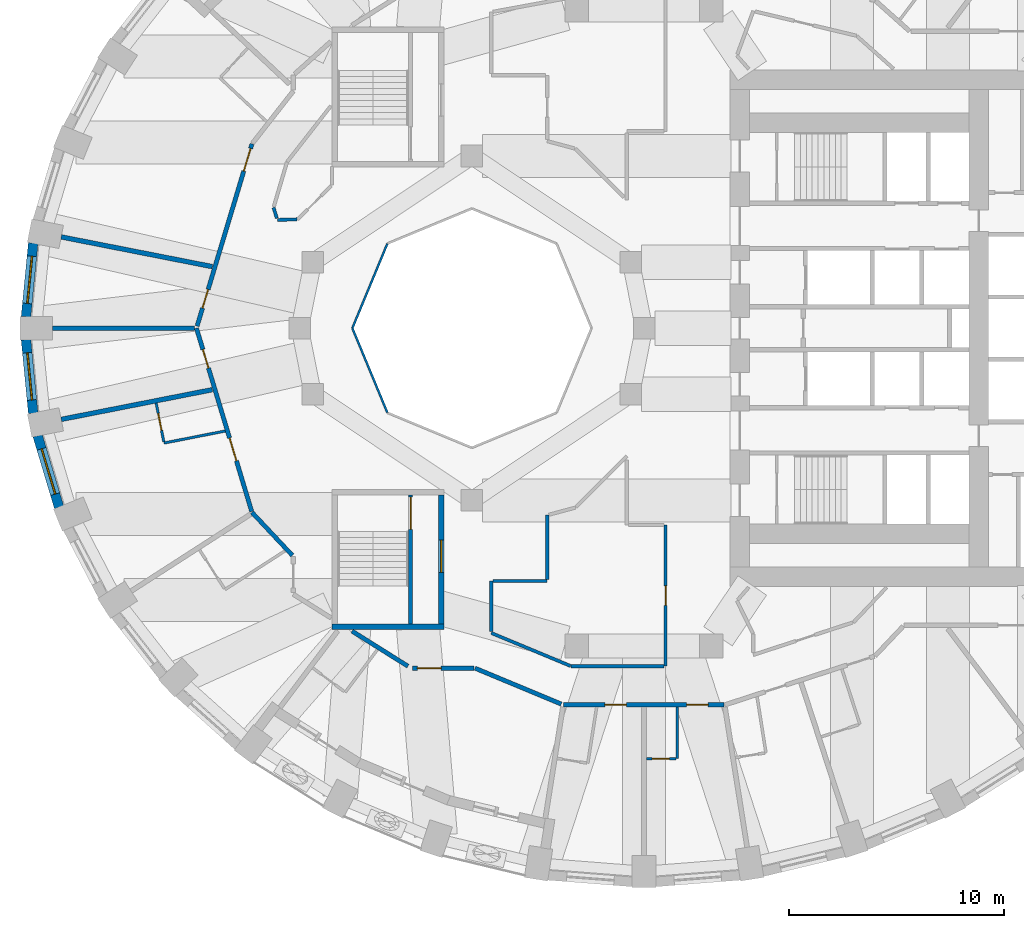
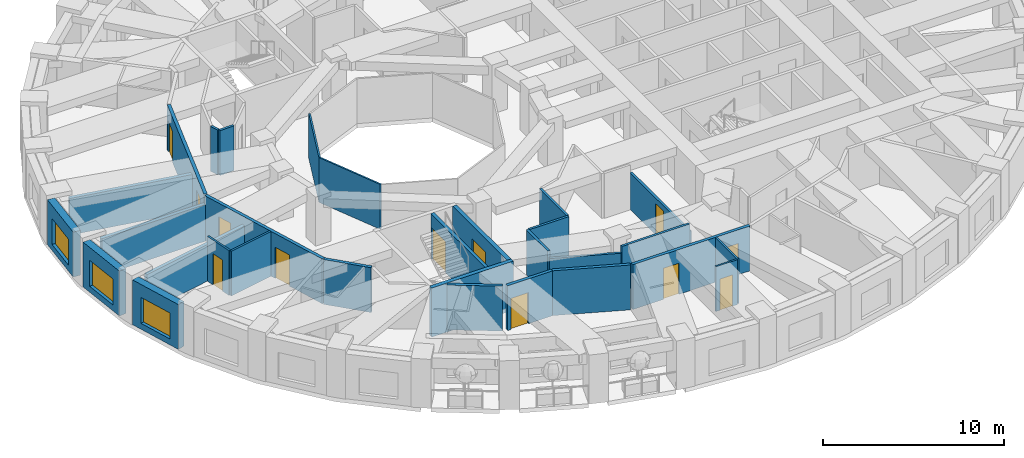
# One storey, part 4 of 13: 30 walls, 12 doors, 3 windows, 15 openings.
"""IFC4 building model written with IfcOpenShell, lengths in metres."""

from ifc_helpers import new_model, si_unit, direction, frame, frame_2d, origin, place, context, subcontext, project, spatial, rectangle, extrude, material, layer, layer_set, type_object, element, fill, save


model = new_model("IFC4")

# Units and contexts
model_context = context("Model", 3, precision=1e-05, world=origin(), true_north=direction((0.0, 1.0)))
body_context = subcontext(model_context, "Body", "Model", "MODEL_VIEW")
ifc_project = project(units=[si_unit("LENGTHUNIT", "METRE"), si_unit("AREAUNIT", "SQUARE_METRE"), si_unit("VOLUMEUNIT", "CUBIC_METRE"), si_unit("PLANEANGLEUNIT", "RADIAN"), si_unit("MASSUNIT", "GRAM", prefix="KILO")], contexts=[model_context])

# Site, building, storey
site_placement = place(None, origin())
site = spatial("IfcSite", under=ifc_project, at=site_placement, CompositionType="ELEMENT")
building_placement = place(site_placement, origin())
building = spatial("IfcBuilding", under=site, at=building_placement, Name="Taillehof Tower", CompositionType="ELEMENT")
storey_placement = place(building_placement, frame((0.0, 0.0, 41.5)))
storey = spatial("IfcBuildingStorey", under=building, at=storey_placement, Name="L10", CompositionType="ELEMENT", Elevation=41.5)

# Walls
ifc_material_1 = material(Name="Fire-resisting glass in steel frame", Category="steel")
ifc_layer_1 = layer(ifc_material_1, 0.10009765625)
ifc_layer_set_1 = layer_set([ifc_layer_1], Name="Atrium fire-resisting screen EI 60 100")
wall_type_1 = type_object("IfcWallType", Name="Atrium fire-resisting screen EI 60 100", PredefinedType="PARTITIONING", material=ifc_layer_set_1)
for number, where, z_axis, x_axis, name in (
    (1, (-11.92724609375, -3.92724609375, 0.0), (0.0, 0.0, 1.0), (-0.382730523909, 0.923860025149, 0.0), "Atrium screen"),
    (2, (-13.55419921875, 0.0, 0.0), (0.0, 0.0, 1.0), (0.382730523909, 0.923860025149, 0.0), "Atrium screen"),
):
    element("IfcWall", number, at=place(storey_placement, frame(where, z_axis=z_axis, x_axis=x_axis)), inside=storey, type_object=wall_type_1, Name=name, PredefinedType="PARTITIONING", context=body_context, shape_type="SweptSolid", body=[
        extrude(rectangle(XDim=4.2509765625, YDim=0.10009765625, at=frame_2d((2.12548828125, 0.0))), origin(), (0.0, 0.0, 1.0), 3.02001953125),
    ])

# Wall, opening, window
ifc_material_2 = material(Name="Brick masonry", Category="masonry")
ifc_layer_2 = layer(ifc_material_2, 0.449951171875)
ifc_layer_set_2 = layer_set([ifc_layer_2], Name="Brick infill wall 450")
wall_type_2 = type_object("IfcWallType", Name="Brick infill wall 450", PredefinedType="SOLIDWALL", material=ifc_layer_set_2)
wall_1_placement = place(storey_placement, frame((-28.38671875, 3.95556640625, 0.0), z_axis=(0.0, 0.0, 1.0), x_axis=(-0.097389581596, -0.995246336038, 0.0)))
wall_1 = element("IfcWall", 3, at=wall_1_placement, inside=storey, type_object=wall_type_2, Name="Brick wall L10 bay 18", PredefinedType="SOLIDWALL", context=body_context, shape_type="SweptSolid", body=[
    extrude(rectangle(XDim=3.44189453125, YDim=0.449951171875, at=frame_2d((1.720947265625, 0.0))), origin(), (0.0, 0.0, 1.0), 3.02001953125),
])
opening_1_placement = place(wall_1_placement, frame((0.62109375, 0.0, 0.39990234375)))
opening_1 = element("IfcOpeningElement", 4, at=opening_1_placement, cuts=wall_1, Name="Opening W1", PredefinedType="OPENING", context=body_context, shape_type="SweptSolid", body=[
    extrude(rectangle(XDim=2.199951171875, YDim=1.75, at=frame_2d((1.10009765625, 0.875))), frame((0.0, 0.23486328125, 0.0), z_axis=(0.0, -1.0, 0.0), x_axis=(1.0, 0.0, 0.0)), (0.0, 0.0, 1.0), 0.469970703125),
])
ifc_material_3 = material(Name="Aluminium window frame with clear double glazing", Category="aluminium")
window_type = type_object("IfcWindowType", Name="Deep-set window 2200x1750", PartitioningType="SINGLE_PANEL", PredefinedType="WINDOW", material=ifc_material_3)
window_1_placement = place(opening_1_placement, origin())
window_1 = element("IfcWindow", 5, at=window_1_placement, inside=storey, type_object=window_type, Name="W1", OverallHeight=1.75, OverallWidth=2.199951171875, PartitioningType="SINGLE_PANEL", PredefinedType="WINDOW", context=body_context, shape_type="SweptSolid", body=[
    extrude(rectangle(XDim=2.199951171875, YDim=1.75, at=frame_2d((1.10009765625, 0.875))), frame((0.0, 0.034912109375, 0.0), z_axis=(0.0, -1.0, 0.0), x_axis=(1.0, 0.0, 0.0)), (0.0, 0.0, 1.0), 0.06005859375),
])
fill(opening_1, window_1)

wall_2_placement = place(storey_placement, frame((-28.721923828125, -0.530029296875, 0.0), z_axis=(0.0, 0.0, 1.0), x_axis=(0.097389581596, -0.995246336038, 0.0)))
wall_2 = element("IfcWall", 6, at=wall_2_placement, inside=storey, type_object=wall_type_2, Name="Brick wall L10 bay 19", PredefinedType="SOLIDWALL", context=body_context, shape_type="SweptSolid", body=[
    extrude(rectangle(XDim=3.44189453125, YDim=0.449951171875, at=frame_2d((1.720947265625, 0.0))), origin(), (0.0, 0.0, 1.0), 3.02001953125),
])
opening_2_placement = place(wall_2_placement, frame((0.62109375, 0.0, 0.39990234375)))
opening_2 = element("IfcOpeningElement", 7, at=opening_2_placement, cuts=wall_2, Name="Opening W1", PredefinedType="OPENING", context=body_context, shape_type="SweptSolid", body=[
    extrude(rectangle(XDim=2.199951171875, YDim=1.75, at=frame_2d((1.10009765625, 0.875))), frame((0.0, 0.23486328125, 0.0), z_axis=(0.0, -1.0, 0.0), x_axis=(1.0, 0.0, 0.0)), (0.0, 0.0, 1.0), 0.469970703125),
])
window_2_placement = place(opening_2_placement, origin())
window_2 = element("IfcWindow", 8, at=window_2_placement, inside=storey, type_object=window_type, Name="W1", OverallHeight=1.75, OverallWidth=2.199951171875, PartitioningType="SINGLE_PANEL", PredefinedType="WINDOW", context=body_context, shape_type="SweptSolid", body=[
    extrude(rectangle(XDim=2.199951171875, YDim=1.75, at=frame_2d((1.10009765625, 0.875))), frame((0.0, 0.034912109375, 0.0), z_axis=(0.0, -1.0, 0.0), x_axis=(1.0, 0.0, 0.0)), (0.0, 0.0, 1.0), 0.06005859375),
])
fill(opening_2, window_2)

wall_3_placement = place(storey_placement, frame((-28.181884765625, -4.995849609375, 0.0), z_axis=(0.0, 0.0, 1.0), x_axis=(0.287064133733, -0.957911364963, 0.0)))
wall_3 = element("IfcWall", 9, at=wall_3_placement, inside=storey, type_object=wall_type_2, Name="Brick wall L10 bay 20", PredefinedType="SOLIDWALL", context=body_context, shape_type="SweptSolid", body=[
    extrude(rectangle(XDim=3.473388671875, YDim=0.449951171875, at=frame_2d((1.73681640625, 0.0))), origin(), (0.0, 0.0, 1.0), 3.02001953125),
])
opening_3_placement = place(wall_3_placement, frame((0.63671875, 0.0, 0.39990234375)))
opening_3 = element("IfcOpeningElement", 10, at=opening_3_placement, cuts=wall_3, Name="Opening W1", PredefinedType="OPENING", context=body_context, shape_type="SweptSolid", body=[
    extrude(rectangle(XDim=2.199951171875, YDim=1.75, at=frame_2d((1.10009765625, 0.875))), frame((0.0, 0.23486328125, 0.0), z_axis=(0.0, -1.0, 0.0), x_axis=(1.0, 0.0, 0.0)), (0.0, 0.0, 1.0), 0.469970703125),
])
window_3_placement = place(opening_3_placement, origin())
window_3 = element("IfcWindow", 11, at=window_3_placement, inside=storey, type_object=window_type, Name="W1", OverallHeight=1.75, OverallWidth=2.199951171875, PartitioningType="SINGLE_PANEL", PredefinedType="WINDOW", context=body_context, shape_type="SweptSolid", body=[
    extrude(rectangle(XDim=2.199951171875, YDim=1.75, at=frame_2d((1.10009765625, 0.875))), frame((0.0, 0.034912109375, 0.0), z_axis=(0.0, -1.0, 0.0), x_axis=(1.0, 0.0, 0.0)), (0.0, 0.0, 1.0), 0.06005859375),
])
fill(opening_3, window_3)

# Wall
ifc_material_4 = material(Name="Gypsum board on steel studs, two layers each side", Category="steel")
ifc_layer_3 = layer(ifc_material_4, 0.199951171875)
ifc_layer_set_3 = layer_set([ifc_layer_3], Name="Compartment wall corridor 200")
wall_type_3 = type_object("IfcWallType", Name="Compartment wall corridor 200", PredefinedType="PARTITIONING", material=ifc_layer_set_3)
wall_4_placement = place(storey_placement, frame((-16.341064453125, -10.5625, 0.0), z_axis=(0.0, 0.0, 1.0), x_axis=(-0.684393472021, 0.729112868803, 0.0)))
element("IfcWall", 12, at=wall_4_placement, inside=storey, type_object=wall_type_3, Name="Compartment wall", PredefinedType="PARTITIONING", context=body_context, shape_type="SweptSolid", body=[
    extrude(rectangle(XDim=2.74609375, YDim=0.199951171875, at=frame_2d((1.373046875, 0.0))), origin(), (0.0, 0.0, 1.0), 3.02001953125),
])

# Wall, openings, doors
wall_5_placement = place(storey_placement, frame((-18.232177734375, -8.522216796875, 0.0), z_axis=(0.0, 0.0, 1.0), x_axis=(-0.288502732396, 0.957479072043, 0.0)))
wall_5 = element("IfcWall", 13, at=wall_5_placement, inside=storey, type_object=wall_type_3, Name="Compartment wall", PredefinedType="PARTITIONING", context=body_context, shape_type="SweptSolid", body=[
    extrude(rectangle(XDim=8.900634765625, YDim=0.199951171875, at=frame_2d((4.4501953125, 0.0))), origin(), (0.0, 0.0, 1.0), 3.02001953125),
])
opening_4_placement = place(wall_5_placement, frame((6.96484375, 0.0, 0.0)))
opening_4 = element("IfcOpeningElement", 14, at=opening_4_placement, cuts=wall_5, Name="Opening D1051", PredefinedType="OPENING", context=body_context, shape_type="SweptSolid", body=[
    extrude(rectangle(XDim=0.89990234375, YDim=2.10009765625, at=frame_2d((0.449951171875, 1.050048828125))), frame((0.0, 0.10986328125, 0.0), z_axis=(0.0, -1.0, 0.0), x_axis=(1.0, 0.0, 0.0)), (0.0, 0.0, 1.0), 0.219970703125),
])
opening_5_placement = place(wall_5_placement, frame((2.46533203125, 0.0, 0.0)))
opening_5 = element("IfcOpeningElement", 15, at=opening_5_placement, cuts=wall_5, Name="Opening D1052", PredefinedType="OPENING", context=body_context, shape_type="SweptSolid", body=[
    extrude(rectangle(XDim=1.10009765625, YDim=2.10009765625, at=frame_2d((0.550048828125, 1.050048828125))), frame((0.0, 0.10986328125, 0.0), z_axis=(0.0, -1.0, 0.0), x_axis=(1.0, 0.0, 0.0)), (0.0, 0.0, 1.0), 0.219970703125),
])
ifc_material_5 = material(Name="Timber door leaf in steel frame", Category="steel")
door_type_1 = type_object("IfcDoorType", Name="Service room door EI 30 900 x 2100", OperationType="SINGLE_SWING_LEFT", PredefinedType="DOOR", material=ifc_material_5)
door_1_placement = place(opening_4_placement, origin())
door_1 = element("IfcDoor", 16, at=door_1_placement, inside=storey, type_object=door_type_1, Name="D1051", OperationType="SINGLE_SWING_LEFT", OverallHeight=2.10009765625, OverallWidth=0.89990234375, PredefinedType="DOOR", context=body_context, shape_type="SweptSolid", body=[
    extrude(rectangle(XDim=0.89990234375, YDim=2.10009765625, at=frame_2d((0.449951171875, 1.050048828125))), frame((0.0, 0.02490234375, 0.0), z_axis=(0.0, -1.0, 0.0), x_axis=(1.0, 0.0, 0.0)), (0.0, 0.0, 1.0), 0.050048828125),
])
fill(opening_4, door_1)
ifc_material_6 = material(Name="Timber door leaf in steel frame", Category="steel")
door_type_2 = type_object("IfcDoorType", Name="Suite entrance door EI 30 1100 x 2100", OperationType="SINGLE_SWING_LEFT", PredefinedType="DOOR", material=ifc_material_6)
door_2_placement = place(opening_5_placement, origin())
door_2 = element("IfcDoor", 17, at=door_2_placement, inside=storey, type_object=door_type_2, Name="D1052", OperationType="SINGLE_SWING_RIGHT", OverallHeight=2.10009765625, OverallWidth=1.10009765625, PredefinedType="DOOR", context=body_context, shape_type="SweptSolid", body=[
    extrude(rectangle(XDim=1.10009765625, YDim=2.10009765625, at=frame_2d((0.550048828125, 1.050048828125))), frame((0.0, 0.02490234375, 0.0), z_axis=(0.0, -1.0, 0.0), x_axis=(1.0, 0.0, 0.0)), (0.0, 0.0, 1.0), 0.050048828125),
])
fill(opening_5, door_2)

wall_6_placement = place(storey_placement, frame((-20.770751953125, 0.09521484375, 0.0), z_axis=(0.0, 0.0, 1.0), x_axis=(0.288464952331, 0.957490454927, 0.0)))
wall_6 = element("IfcWall", 18, at=wall_6_placement, inside=storey, type_object=wall_type_3, Name="Compartment wall", PredefinedType="PARTITIONING", context=body_context, shape_type="SweptSolid", body=[
    extrude(rectangle(XDim=8.8408203125, YDim=0.199951171875, at=frame_2d((4.42041015625, 0.0))), origin(), (0.0, 0.0, 1.0), 3.02001953125),
])
opening_6_placement = place(wall_6_placement, frame((7.52099609375, 0.0, 0.0)))
opening_6 = element("IfcOpeningElement", 19, at=opening_6_placement, cuts=wall_6, Name="Opening D1048", PredefinedType="OPENING", context=body_context, shape_type="SweptSolid", body=[
    extrude(rectangle(XDim=1.10009765625, YDim=2.10009765625, at=frame_2d((0.550048828125, 1.050048828125))), frame((0.0, 0.10986328125, 0.0), z_axis=(0.0, -1.0, 0.0), x_axis=(1.0, 0.0, 0.0)), (0.0, 0.0, 1.0), 0.219970703125),
])
opening_7_placement = place(wall_6_placement, frame((0.876708984375, 0.0, 0.0)))
opening_7 = element("IfcOpeningElement", 20, at=opening_7_placement, cuts=wall_6, Name="Opening D1050", PredefinedType="OPENING", context=body_context, shape_type="SweptSolid", body=[
    extrude(rectangle(XDim=0.89990234375, YDim=2.10009765625, at=frame_2d((0.449951171875, 1.050048828125))), frame((0.0, 0.10986328125, 0.0), z_axis=(0.0, -1.0, 0.0), x_axis=(1.0, 0.0, 0.0)), (0.0, 0.0, 1.0), 0.219970703125),
])
door_3_placement = place(opening_7_placement, origin())
door_3 = element("IfcDoor", 21, at=door_3_placement, inside=storey, type_object=door_type_1, Name="D1050", OperationType="SINGLE_SWING_LEFT", OverallHeight=2.10009765625, OverallWidth=0.89990234375, PredefinedType="DOOR", context=body_context, shape_type="SweptSolid", body=[
    extrude(rectangle(XDim=0.89990234375, YDim=2.10009765625, at=frame_2d((0.449951171875, 1.050048828125))), frame((0.0, 0.02490234375, 0.0), z_axis=(0.0, -1.0, 0.0), x_axis=(1.0, 0.0, 0.0)), (0.0, 0.0, 1.0), 0.050048828125),
])
fill(opening_7, door_3)
door_4_placement = place(opening_6_placement, origin())
door_4 = element("IfcDoor", 22, at=door_4_placement, inside=storey, type_object=door_type_2, Name="D1048", OperationType="SINGLE_SWING_RIGHT", OverallHeight=2.10009765625, OverallWidth=1.10009765625, PredefinedType="DOOR", context=body_context, shape_type="SweptSolid", body=[
    extrude(rectangle(XDim=1.10009765625, YDim=2.10009765625, at=frame_2d((0.550048828125, 1.050048828125))), frame((0.0, 0.02490234375, 0.0), z_axis=(0.0, -1.0, 0.0), x_axis=(1.0, 0.0, 0.0)), (0.0, 0.0, 1.0), 0.050048828125),
])
fill(opening_6, door_4)

wall_7_placement = place(storey_placement, frame((3.71533203125, -17.505615234375, 0.0), z_axis=(0.0, 0.0, 1.0), x_axis=(-1.0, 0.0, 0.0)))
wall_7 = element("IfcWall", 23, at=wall_7_placement, inside=storey, type_object=wall_type_3, Name="Compartment wall", PredefinedType="PARTITIONING", context=body_context, shape_type="SweptSolid", body=[
    extrude(rectangle(XDim=7.470703125, YDim=0.199951171875, at=frame_2d((3.7353515625, 0.0))), origin(), (0.0, 0.0, 1.0), 3.02001953125),
])
opening_8_placement = place(wall_7_placement, frame((4.537841796875, 0.0, 0.0)))
opening_8 = element("IfcOpeningElement", 24, at=opening_8_placement, cuts=wall_7, Name="Opening D1058", PredefinedType="OPENING", context=body_context, shape_type="SweptSolid", body=[
    extrude(rectangle(XDim=1.0, YDim=2.10009765625, at=frame_2d((0.5, 1.050048828125))), frame((0.0, 0.10986328125, 0.0), z_axis=(0.0, -1.0, 0.0), x_axis=(1.0, 0.0, 0.0)), (0.0, 0.0, 1.0), 0.219970703125),
])
opening_9_placement = place(wall_7_placement, frame((0.743408203125, 0.0, 0.0)))
opening_9 = element("IfcOpeningElement", 25, at=opening_9_placement, cuts=wall_7, Name="Opening D1060", PredefinedType="OPENING", context=body_context, shape_type="SweptSolid", body=[
    extrude(rectangle(XDim=1.0, YDim=2.10009765625, at=frame_2d((0.5, 1.050048828125))), frame((0.0, 0.10986328125, 0.0), z_axis=(0.0, -1.0, 0.0), x_axis=(1.0, 0.0, 0.0)), (0.0, 0.0, 1.0), 0.219970703125),
])
ifc_material_7 = material(Name="Timber door leaf in steel frame", Category="steel")
door_type_3 = type_object("IfcDoorType", Name="Guest room door EI 30 1000 x 2100", OperationType="SINGLE_SWING_LEFT", PredefinedType="DOOR", material=ifc_material_7)
door_5_placement = place(opening_8_placement, origin())
door_5 = element("IfcDoor", 26, at=door_5_placement, inside=storey, type_object=door_type_3, Name="D1058", OperationType="SINGLE_SWING_RIGHT", OverallHeight=2.10009765625, OverallWidth=1.0, PredefinedType="DOOR", context=body_context, shape_type="SweptSolid", body=[
    extrude(rectangle(XDim=1.0, YDim=2.10009765625, at=frame_2d((0.5, 1.050048828125))), frame((0.0, 0.02490234375, 0.0), z_axis=(0.0, -1.0, 0.0), x_axis=(1.0, 0.0, 0.0)), (0.0, 0.0, 1.0), 0.050048828125),
])
fill(opening_8, door_5)
door_6_placement = place(opening_9_placement, origin())
door_6 = element("IfcDoor", 27, at=door_6_placement, inside=storey, type_object=door_type_3, Name="D1060", OperationType="SINGLE_SWING_RIGHT", OverallHeight=2.10009765625, OverallWidth=1.0, PredefinedType="DOOR", context=body_context, shape_type="SweptSolid", body=[
    extrude(rectangle(XDim=1.0, YDim=2.10009765625, at=frame_2d((0.5, 1.050048828125))), frame((0.0, 0.02490234375, 0.0), z_axis=(0.0, -1.0, 0.0), x_axis=(1.0, 0.0, 0.0)), (0.0, 0.0, 1.0), 0.050048828125),
])
fill(opening_9, door_6)

# Wall
wall_8_placement = place(storey_placement, frame((-3.84814453125, -17.4677734375, 0.0), z_axis=(0.0, 0.0, 1.0), x_axis=(-0.923248226412, 0.384203998454, 0.0)))
element("IfcWall", 28, at=wall_8_placement, inside=storey, type_object=wall_type_3, Name="Compartment wall", PredefinedType="PARTITIONING", context=body_context, shape_type="SweptSolid", body=[
    extrude(rectangle(XDim=4.3408203125, YDim=0.199951171875, at=frame_2d((2.17041015625, 0.0))), origin(), (0.0, 0.0, 1.0), 3.02001953125),
])

# Wall, opening, door
wall_9_placement = place(storey_placement, frame((-7.895751953125, -15.800048828125, 0.0), z_axis=(0.0, 0.0, 1.0), x_axis=(-1.0, 0.0, 0.0)))
wall_9 = element("IfcWall", 29, at=wall_9_placement, inside=storey, type_object=wall_type_3, Name="Compartment wall", PredefinedType="PARTITIONING", context=body_context, shape_type="SweptSolid", body=[
    extrude(rectangle(XDim=2.857666015625, YDim=0.199951171875, at=frame_2d((1.4287109375, 0.0))), origin(), (0.0, 0.0, 1.0), 3.02001953125),
])
opening_10_placement = place(wall_9_placement, frame((1.53759765625, 0.0, 0.0)))
opening_10 = element("IfcOpeningElement", 30, at=opening_10_placement, cuts=wall_9, Name="Opening D1056", PredefinedType="OPENING", context=body_context, shape_type="SweptSolid", body=[
    extrude(rectangle(XDim=1.10009765625, YDim=2.10009765625, at=frame_2d((0.550048828125, 1.050048828125))), frame((0.0, 0.10986328125, 0.0), z_axis=(0.0, -1.0, 0.0), x_axis=(1.0, 0.0, 0.0)), (0.0, 0.0, 1.0), 0.219970703125),
])
door_7_placement = place(opening_10_placement, origin())
door_7 = element("IfcDoor", 31, at=door_7_placement, inside=storey, type_object=door_type_2, Name="D1056", OperationType="SINGLE_SWING_LEFT", OverallHeight=2.10009765625, OverallWidth=1.10009765625, PredefinedType="DOOR", context=body_context, shape_type="SweptSolid", body=[
    extrude(rectangle(XDim=1.10009765625, YDim=2.10009765625, at=frame_2d((0.550048828125, 1.050048828125))), frame((0.0, 0.02490234375, 0.0), z_axis=(0.0, -1.0, 0.0), x_axis=(1.0, 0.0, 0.0)), (0.0, 0.0, 1.0), 0.050048828125),
])
fill(opening_10, door_7)

# Walls
wall_10_placement = place(storey_placement, frame((-10.972412109375, -15.70849609375, 0.0), z_axis=(0.0, 0.0, 1.0), x_axis=(-0.846954991261, 0.53166459613, 0.0)))
element("IfcWall", 32, at=wall_10_placement, inside=storey, type_object=wall_type_3, Name="Compartment wall", PredefinedType="PARTITIONING", context=body_context, shape_type="SweptSolid", body=[
    extrude(rectangle(XDim=3.06787109375, YDim=0.199951171875, at=frame_2d((1.533935546875, 0.0))), origin(), (0.0, 0.0, 1.0), 3.02001953125),
])
ifc_material_8 = material(Name="Gypsum board on double steel studs with mineral wool", Category="steel")
ifc_layer_4 = layer(ifc_material_8, 0.219970703125)
ifc_layer_set_4 = layer_set([ifc_layer_4], Name="Compartment wall guest room 220")
wall_type_4 = type_object("IfcWallType", Name="Compartment wall guest room 220", PredefinedType="PARTITIONING", material=ifc_layer_set_4)
wall_11_placement = place(storey_placement, frame((-27.0849609375, 4.239990234375, 0.0), z_axis=(0.0, 0.0, 1.0), x_axis=(0.981197740145, -0.193005167635, 0.0)))
element("IfcWall", 33, at=wall_11_placement, inside=storey, type_object=wall_type_4, Name="Compartment wall", PredefinedType="PARTITIONING", context=body_context, shape_type="SweptSolid", body=[
    extrude(rectangle(XDim=7.15576171875, YDim=0.219970703125, at=frame_2d((3.577880859375, 0.0))), origin(), (0.0, 0.0, 1.0), 2.469970703125),
])
wall_12_placement = place(storey_placement, frame((-27.5, 0.0, 0.0), z_axis=(0.0, 0.0, 1.0), x_axis=(1.0, 0.0, 0.0)))
element("IfcWall", 34, at=wall_12_placement, inside=storey, type_object=wall_type_4, Name="Compartment wall", PredefinedType="PARTITIONING", context=body_context, shape_type="SweptSolid", body=[
    extrude(rectangle(XDim=6.599853515625, YDim=0.219970703125, at=frame_2d((3.2998046875, 0.0))), origin(), (0.0, 0.0, 1.0), 2.469970703125),
])
wall_13_placement = place(storey_placement, frame((-27.0849609375, -4.239990234375, 0.0), z_axis=(0.0, 0.0, 1.0), x_axis=(0.981197740145, 0.193005167635, 0.0)))
element("IfcWall", 35, at=wall_13_placement, inside=storey, type_object=wall_type_4, Name="Compartment wall", PredefinedType="PARTITIONING", context=body_context, shape_type="SweptSolid", body=[
    extrude(rectangle(XDim=7.15576171875, YDim=0.219970703125, at=frame_2d((3.577880859375, 0.0))), origin(), (0.0, 0.0, 1.0), 2.469970703125),
])
ifc_material_9 = material(Name="Gypsum board on steel studs, two layers each side", Category="steel")
ifc_layer_5 = layer(ifc_material_9, 0.14990234375)
ifc_layer_set_5 = layer_set([ifc_layer_5], Name="Compartment wall service room 150")
wall_type_5 = type_object("IfcWallType", Name="Compartment wall service room 150", PredefinedType="PARTITIONING", material=ifc_layer_set_5)
wall_14_placement = place(storey_placement, frame((-16.13427734375, 5.056884765625, 0.0), z_axis=(0.0, 0.0, 1.0), x_axis=(-0.999529504487, -0.030671968644, 0.0)))
element("IfcWall", 36, at=wall_14_placement, inside=storey, type_object=wall_type_5, Name="Compartment wall", PredefinedType="PARTITIONING", context=body_context, shape_type="SweptSolid", body=[
    extrude(rectangle(XDim=0.907470703125, YDim=0.14990234375, at=frame_2d((0.45361328125, 0.0))), origin(), (0.0, 0.0, 1.0), 3.02001953125),
])
wall_15_placement = place(storey_placement, frame((-17.064697265625, 5.105224609375, 0.0), z_axis=(0.0, 0.0, 1.0), x_axis=(-0.291495658108, 0.956572151646, 0.0)))
element("IfcWall", 37, at=wall_15_placement, inside=storey, type_object=wall_type_5, Name="Compartment wall", PredefinedType="PARTITIONING", context=body_context, shape_type="SweptSolid", body=[
    extrude(rectangle(XDim=0.5234375, YDim=0.14990234375, at=frame_2d((0.26171875, 0.0))), origin(), (0.0, 0.0, 1.0), 3.02001953125),
])

# Wall, opening, door
wall_16_placement = place(storey_placement, frame((1.0, -9.14990234375, 0.0), z_axis=(0.0, 0.0, 1.0), x_axis=(0.0, -1.0, 0.0)))
wall_16 = element("IfcWall", 38, at=wall_16_placement, inside=storey, type_object=wall_type_5, Name="Compartment wall", PredefinedType="PARTITIONING", context=body_context, shape_type="SweptSolid", body=[
    extrude(rectangle(XDim=6.5556640625, YDim=0.14990234375, at=frame_2d((3.27783203125, 0.0))), origin(), (0.0, 0.0, 1.0), 2.469970703125),
])
opening_11_placement = place(wall_16_placement, frame((2.827880859375, 0.0, 0.0)))
opening_11 = element("IfcOpeningElement", 39, at=opening_11_placement, cuts=wall_16, Name="Opening D1073", PredefinedType="OPENING", context=body_context, shape_type="SweptSolid", body=[
    extrude(rectangle(XDim=0.89990234375, YDim=2.10009765625, at=frame_2d((0.449951171875, 1.050048828125))), frame((0.0, 0.0849609375, 0.0), z_axis=(0.0, -1.0, 0.0), x_axis=(1.0, 0.0, 0.0)), (0.0, 0.0, 1.0), 0.169921875),
])
door_8_placement = place(opening_11_placement, origin())
door_8 = element("IfcDoor", 40, at=door_8_placement, inside=storey, type_object=door_type_1, Name="D1073", OperationType="SINGLE_SWING_LEFT", OverallHeight=2.10009765625, OverallWidth=0.89990234375, PredefinedType="DOOR", context=body_context, shape_type="SweptSolid", body=[
    extrude(rectangle(XDim=0.89990234375, YDim=2.10009765625, at=frame_2d((0.449951171875, 1.050048828125))), frame((0.0, 0.02490234375, 0.0), z_axis=(0.0, -1.0, 0.0), x_axis=(1.0, 0.0, 0.0)), (0.0, 0.0, 1.0), 0.050048828125),
])
fill(opening_11, door_8)

# Walls
wall_17_placement = place(storey_placement, frame((0.919921875, -15.70556640625, 0.0), z_axis=(0.0, 0.0, 1.0), x_axis=(-1.0, 0.0, 0.0)))
element("IfcWall", 41, at=wall_17_placement, inside=storey, type_object=wall_type_5, Name="Compartment wall", PredefinedType="PARTITIONING", context=body_context, shape_type="SweptSolid", body=[
    extrude(rectangle(XDim=4.31591796875, YDim=0.14990234375, at=frame_2d((2.157958984375, 0.0))), origin(), (0.0, 0.0, 1.0), 3.02001953125),
])
wall_18_placement = place(storey_placement, frame((-3.41455078125, -15.697998046875, 0.0), z_axis=(0.0, 0.0, 1.0), x_axis=(-0.923293917367, 0.38409418396, 0.0)))
element("IfcWall", 42, at=wall_18_placement, inside=storey, type_object=wall_type_5, Name="Compartment wall", PredefinedType="PARTITIONING", context=body_context, shape_type="SweptSolid", body=[
    extrude(rectangle(XDim=3.99169921875, YDim=0.14990234375, at=frame_2d((1.995849609375, 0.0))), origin(), (0.0, 0.0, 1.0), 2.570068359375),
])
wall_19_placement = place(storey_placement, frame((-7.10009765625, -14.104736328125, 0.0), z_axis=(0.0, 0.0, 1.0), x_axis=(0.0, 1.0, 0.0)))
element("IfcWall", 43, at=wall_19_placement, inside=storey, type_object=wall_type_5, Name="Compartment wall", PredefinedType="PARTITIONING", context=body_context, shape_type="SweptSolid", body=[
    extrude(rectangle(XDim=2.354736328125, YDim=0.14990234375, at=frame_2d((1.17724609375, 0.0))), origin(), (0.0, 0.0, 1.0), 3.02001953125),
])
wall_20_placement = place(storey_placement, frame((-7.02001953125, -11.75, 0.0), z_axis=(0.0, 0.0, 1.0), x_axis=(1.0, 0.0, 0.0)))
element("IfcWall", 44, at=wall_20_placement, inside=storey, type_object=wall_type_5, Name="Compartment wall", PredefinedType="PARTITIONING", context=body_context, shape_type="SweptSolid", body=[
    extrude(rectangle(XDim=2.52001953125, YDim=0.14990234375, at=frame_2d((1.260009765625, 0.0))), origin(), (0.0, 0.0, 1.0), 3.02001953125),
])
wall_21_placement = place(storey_placement, frame((-4.5, -11.669921875, 0.0), z_axis=(0.0, 0.0, 1.0), x_axis=(0.0, 1.0, 0.0)))
element("IfcWall", 45, at=wall_21_placement, inside=storey, type_object=wall_type_5, Name="Compartment wall", PredefinedType="PARTITIONING", context=body_context, shape_type="SweptSolid", body=[
    extrude(rectangle(XDim=2.979736328125, YDim=0.14990234375, at=frame_2d((1.48974609375, 0.0))), origin(), (0.0, 0.0, 1.0), 3.02001953125),
])
ifc_material_10 = material(Name="Gypsum board on steel studs, moisture resistant", Category="steel")
ifc_layer_6 = layer(ifc_material_10, 0.1201171875)
ifc_layer_set_6 = layer_set([ifc_layer_6], Name="En-suite wall 120")
wall_type_6 = type_object("IfcWallType", Name="En-suite wall 120", PredefinedType="PARTITIONING", material=ifc_layer_set_6)
wall_22_placement = place(storey_placement, frame((-19.46435546875, -4.779296875, 0.0), z_axis=(0.0, 0.0, 1.0), x_axis=(-0.981185297697, -0.193068411666, 0.0)))
element("IfcWall", 46, at=wall_22_placement, inside=storey, type_object=wall_type_6, Name="En-suite wall", PredefinedType="PARTITIONING", context=body_context, shape_type="SweptSolid", body=[
    extrude(rectangle(XDim=2.89697265625, YDim=0.1201171875, at=frame_2d((1.448486328125, 0.0))), origin(), (0.0, 0.0, 1.0), 3.02001953125),
])
wall_23_placement = place(storey_placement, frame((1.550048828125, -17.605712890625, 0.0), z_axis=(0.0, 0.0, 1.0), x_axis=(0.0, -1.0, 0.0)))
element("IfcWall", 47, at=wall_23_placement, inside=storey, type_object=wall_type_6, Name="En-suite wall", PredefinedType="PARTITIONING", context=body_context, shape_type="SweptSolid", body=[
    extrude(rectangle(XDim=2.39990234375, YDim=0.1201171875, at=frame_2d((1.199951171875, 0.0))), origin(), (0.0, 0.0, 1.0), 3.02001953125),
])

# Wall, opening, door
wall_24_placement = place(storey_placement, frame((-22.318359375, -5.27978515625, 0.0), z_axis=(0.0, 0.0, 1.0), x_axis=(-0.193036598643, 0.981191557029, 0.0)))
wall_24 = element("IfcWall", 48, at=wall_24_placement, inside=storey, type_object=wall_type_6, Name="En-suite wall", PredefinedType="PARTITIONING", context=body_context, shape_type="SweptSolid", body=[
    extrude(rectangle(XDim=1.830078125, YDim=0.1201171875, at=frame_2d((0.9150390625, 0.0))), origin(), (0.0, 0.0, 1.0), 3.02001953125),
])
opening_12_placement = place(wall_24_placement, frame((0.540283203125, 0.0, 0.0)))
opening_12 = element("IfcOpeningElement", 49, at=opening_12_placement, cuts=wall_24, Name="Opening D1053", PredefinedType="OPENING", context=body_context, shape_type="SweptSolid", body=[
    extrude(rectangle(XDim=0.800048828125, YDim=2.10009765625, at=frame_2d((0.39990234375, 1.050048828125))), frame((0.0, 0.070068359375, 0.0), z_axis=(0.0, -1.0, 0.0), x_axis=(1.0, 0.0, 0.0)), (0.0, 0.0, 1.0), 0.14013671875),
])
ifc_material_11 = material(Name="Timber door leaf in steel frame", Category="steel")
door_type_4 = type_object("IfcDoorType", Name="En-suite door 800 x 2100", OperationType="SINGLE_SWING_LEFT", PredefinedType="DOOR", material=ifc_material_11)
door_9_placement = place(opening_12_placement, origin())
door_9 = element("IfcDoor", 50, at=door_9_placement, inside=storey, type_object=door_type_4, Name="D1053", OperationType="SINGLE_SWING_RIGHT", OverallHeight=2.10009765625, OverallWidth=0.800048828125, PredefinedType="DOOR", context=body_context, shape_type="SweptSolid", body=[
    extrude(rectangle(XDim=0.800048828125, YDim=2.10009765625, at=frame_2d((0.39990234375, 1.050048828125))), frame((0.0, 0.02490234375, 0.0), z_axis=(0.0, -1.0, 0.0), x_axis=(1.0, 0.0, 0.0)), (0.0, 0.0, 1.0), 0.050048828125),
])
fill(opening_12, door_9)

wall_25_placement = place(storey_placement, frame((1.489990234375, -20.005615234375, 0.0), z_axis=(0.0, 0.0, 1.0), x_axis=(-1.0, 0.0, 0.0)))
wall_25 = element("IfcWall", 51, at=wall_25_placement, inside=storey, type_object=wall_type_6, Name="En-suite wall", PredefinedType="PARTITIONING", context=body_context, shape_type="SweptSolid", body=[
    extrude(rectangle(XDim=1.3798828125, YDim=0.1201171875, at=frame_2d((0.68994140625, 0.0))), origin(), (0.0, 0.0, 1.0), 3.02001953125),
])
opening_13_placement = place(wall_25_placement, frame((0.31494140625, 0.0, 0.0)))
opening_13 = element("IfcOpeningElement", 52, at=opening_13_placement, cuts=wall_25, Name="Opening D1061", PredefinedType="OPENING", context=body_context, shape_type="SweptSolid", body=[
    extrude(rectangle(XDim=0.800048828125, YDim=2.10009765625, at=frame_2d((0.39990234375, 1.050048828125))), frame((0.0, 0.070068359375, 0.0), z_axis=(0.0, -1.0, 0.0), x_axis=(1.0, 0.0, 0.0)), (0.0, 0.0, 1.0), 0.14013671875),
])
door_10_placement = place(opening_13_placement, origin())
door_10 = element("IfcDoor", 53, at=door_10_placement, inside=storey, type_object=door_type_4, Name="D1061", OperationType="SINGLE_SWING_RIGHT", OverallHeight=2.10009765625, OverallWidth=0.800048828125, PredefinedType="DOOR", context=body_context, shape_type="SweptSolid", body=[
    extrude(rectangle(XDim=0.800048828125, YDim=2.10009765625, at=frame_2d((0.39990234375, 1.050048828125))), frame((0.0, 0.02490234375, 0.0), z_axis=(0.0, -1.0, 0.0), x_axis=(1.0, 0.0, 0.0)), (0.0, 0.0, 1.0), 0.050048828125),
])
fill(opening_13, door_10)

ifc_material_12 = material(Name="Concrete C50/60", Category="concrete")
ifc_layer_7 = layer(ifc_material_12, 0.199951171875)
ifc_layer_set_7 = layer_set([ifc_layer_7], Name="Shaft wall C50/60 200")
wall_type_7 = type_object("IfcWallType", Name="Shaft wall C50/60 200", PredefinedType="SHEAR", material=ifc_layer_set_7)
wall_26_placement = place(storey_placement, frame((-10.85009765625, -13.75, 0.0), z_axis=(0.0, 0.0, 1.0), x_axis=(0.0, 1.0, 0.0)))
wall_26 = element("IfcWall", 54, at=wall_26_placement, inside=storey, type_object=wall_type_7, Name="Shaft wall SW", PredefinedType="SHEAR", context=body_context, shape_type="SweptSolid", body=[
    extrude(rectangle(XDim=6.0, YDim=0.199951171875, at=frame_2d((3.0, 0.0))), origin(), (0.0, 0.0, 1.0), 3.02001953125),
])
opening_14_placement = place(wall_26_placement, frame((4.39990234375, 0.0, 0.0)))
opening_14 = element("IfcOpeningElement", 55, at=opening_14_placement, cuts=wall_26, Name="Opening D1013", PredefinedType="OPENING", context=body_context, shape_type="SweptSolid", body=[
    extrude(rectangle(XDim=1.5, YDim=2.10009765625, at=frame_2d((0.75, 1.050048828125))), frame((0.0, 0.10986328125, 0.0), z_axis=(0.0, -1.0, 0.0), x_axis=(1.0, 0.0, 0.0)), (0.0, 0.0, 1.0), 0.219970703125),
])
ifc_material_13 = material(Name="Steel-faced fire door", Category="steel")
door_type_5 = type_object("IfcDoorType", Name="Stair door 1500x2100", OperationType="DOUBLE_DOOR_SINGLE_SWING", PredefinedType="DOOR", material=ifc_material_13)
door_11_placement = place(opening_14_placement, origin())
door_11 = element("IfcDoor", 56, at=door_11_placement, inside=storey, type_object=door_type_5, Name="Stair lobby door S4", OperationType="DOUBLE_DOOR_SINGLE_SWING", OverallHeight=2.10009765625, OverallWidth=1.5, PredefinedType="DOOR", context=body_context, shape_type="SweptSolid", body=[
    extrude(rectangle(XDim=1.5, YDim=2.10009765625, at=frame_2d((0.75, 1.050048828125))), frame((0.0, 0.02490234375, 0.0), z_axis=(0.0, -1.0, 0.0), x_axis=(1.0, 0.0, 0.0)), (0.0, 0.0, 1.0), 0.050048828125),
])
fill(opening_14, door_11)

ifc_material_14 = material(Name="Concrete C50/60", Category="concrete")
ifc_layer_8 = layer(ifc_material_14, 0.25)
ifc_layer_set_8 = layer_set([ifc_layer_8], Name="Stair wall C50/60 250")
wall_type_8 = type_object("IfcWallType", Name="Stair wall C50/60 250", PredefinedType="SHEAR", material=ifc_layer_set_8)
wall_27_placement = place(storey_placement, frame((-9.425048828125, -13.75, -0.280029296875), z_axis=(0.0, 0.0, 1.0), x_axis=(0.0, 1.0, 0.0)))
wall_27 = element("IfcWall", 57, at=wall_27_placement, inside=storey, type_object=wall_type_8, Name="Stair wall SC", PredefinedType="SHEAR", context=body_context, shape_type="SweptSolid", body=[
    extrude(rectangle(XDim=6.0, YDim=0.25, at=frame_2d((3.0, 0.0))), origin(), (0.0, 0.0, 1.0), 3.300048828125),
])
opening_15_placement = place(wall_27_placement, frame((2.39990234375, 0.0, 0.280029296875)))
opening_15 = element("IfcOpeningElement", 58, at=opening_15_placement, cuts=wall_27, Name="Opening D1020", PredefinedType="OPENING", context=body_context, shape_type="SweptSolid", body=[
    extrude(rectangle(XDim=1.5, YDim=2.10009765625, at=frame_2d((0.75, 1.050048828125))), frame((0.0, 0.135009765625, 0.0), z_axis=(0.0, -1.0, 0.0), x_axis=(1.0, 0.0, 0.0)), (0.0, 0.0, 1.0), 0.27001953125),
])
door_12_placement = place(opening_15_placement, origin())
door_12 = element("IfcDoor", 59, at=door_12_placement, inside=storey, type_object=door_type_5, Name="Stair door S4", OperationType="DOUBLE_DOOR_SINGLE_SWING", OverallHeight=2.10009765625, OverallWidth=1.5, PredefinedType="DOOR", context=body_context, shape_type="SweptSolid", body=[
    extrude(rectangle(XDim=1.5, YDim=2.10009765625, at=frame_2d((0.75, 1.050048828125))), frame((0.0, 0.02490234375, 0.0), z_axis=(0.0, -1.0, 0.0), x_axis=(1.0, 0.0, 0.0)), (0.0, 0.0, 1.0), 0.050048828125),
])
fill(opening_15, door_12)

# Wall
wall_28_placement = place(storey_placement, frame((-14.5, -13.875, -0.280029296875), z_axis=(0.0, 0.0, 1.0), x_axis=(1.0, 0.0, 0.0)))
element("IfcWall", 60, at=wall_28_placement, inside=storey, type_object=wall_type_8, Name="Stair wall SC", PredefinedType="SHEAR", context=body_context, shape_type="SweptSolid", body=[
    extrude(rectangle(XDim=5.199951171875, YDim=0.25, at=frame_2d((2.60009765625, 0.0))), origin(), (0.0, 0.0, 1.0), 3.300048828125),
])

save(model, "model.ifc")
